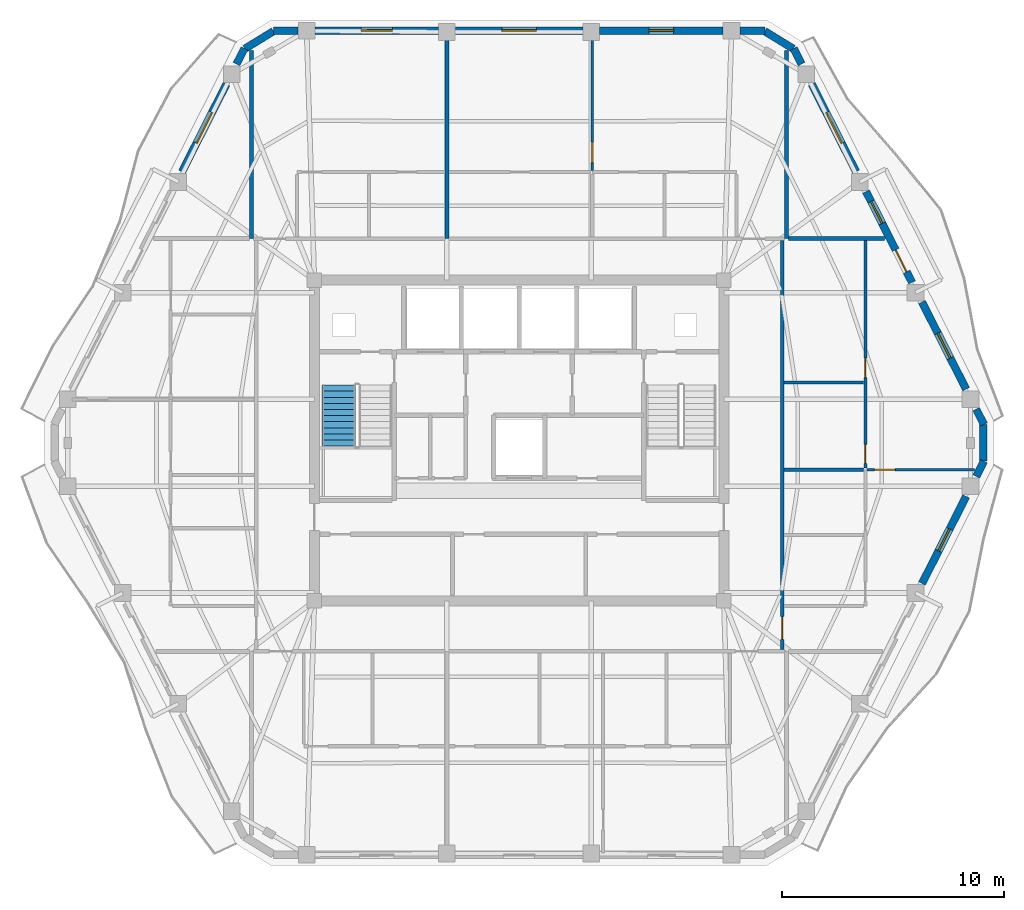
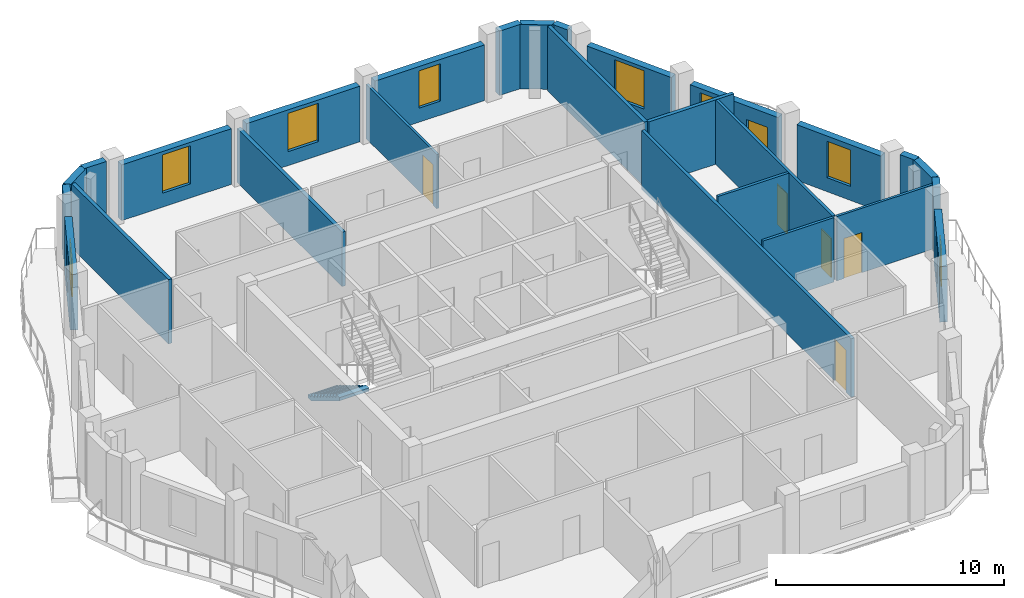
# One storey, part 7 of 12: 27 walls, 8 windows, 6 doors, 1 stair flight, 14 openings, 1 element without a shape of its own.
"""IFC4 building model written with IfcOpenShell, lengths in metres."""

from ifc_helpers import new_model, si_unit, direction, frame, frame_2d, origin, place, context, subcontext, project, spatial, polyline, rectangle, outline, extrude, material, layer, layer_set, type_object, element, fill, aggregate, save


model = new_model("IFC4")

# Units and contexts
model_context = context("Model", 3, precision=1e-05, world=origin(), true_north=direction((0.0, 1.0)))
body_context = subcontext(model_context, "Body", "Model", "MODEL_VIEW")
ifc_project = project(units=[si_unit("LENGTHUNIT", "METRE"), si_unit("AREAUNIT", "SQUARE_METRE"), si_unit("VOLUMEUNIT", "CUBIC_METRE"), si_unit("PLANEANGLEUNIT", "RADIAN"), si_unit("MASSUNIT", "GRAM", prefix="KILO")], contexts=[model_context])

# Site, building, storey
site_placement = place(None, origin())
site = spatial("IfcSite", under=ifc_project, at=site_placement, CompositionType="ELEMENT")
building_placement = place(site_placement, origin())
building = spatial("IfcBuilding", under=site, at=building_placement, Name="Cinnabar Lancet Tower", CompositionType="ELEMENT")
storey_placement = place(building_placement, frame((0.0, 0.0, 237.949951171875)))
storey = spatial("IfcBuildingStorey", under=building, at=storey_placement, Name="L63", CompositionType="ELEMENT", Elevation=237.949951171875)

# Wall, opening, door
ifc_material_1 = material(Name="Acoustic twin-stud gypsum partition", Category="gypsum")
ifc_layer_1 = layer(ifc_material_1, 0.159912109375)
ifc_layer_set_1 = layer_set([ifc_layer_1], Name="Acoustic twin-stud gypsum partition")
wall_type_1 = type_object("IfcWallType", Name="ARC-WL-CORR-160", PredefinedType="PARTITIONING", material=ifc_layer_set_1)
wall_1_placement = place(storey_placement, frame((44.25, 16.4951171875, 0.0), z_axis=(0.0, 0.0, 1.0), x_axis=(0.0, 1.0, 0.0)))
wall_1 = element("IfcWall", 1, at=wall_1_placement, inside=storey, type_object=wall_type_1, Name="UW-L63-E01-COR", PredefinedType="PARTITIONING", context=body_context, shape_type="SweptSolid", body=[
    extrude(rectangle(XDim=18.409912109375, YDim=0.159912109375, at=frame_2d((9.205078125, 0.0))), origin(), (0.0, 0.0, 1.0), 3.136962890625),
])
opening_1_placement = place(wall_1_placement, frame((0.449951171875, 0.0, 0.0)))
opening_1 = element("IfcOpeningElement", 2, at=opening_1_placement, cuts=wall_1, Name="Opening UD-01", PredefinedType="OPENING", context=body_context, shape_type="SweptSolid", body=[
    extrude(rectangle(XDim=1.02001953125, YDim=2.25, at=frame_2d((0.510009765625, 1.125))), frame((0.0, 0.08984375, 0.0), z_axis=(0.0, -1.0, 0.0), x_axis=(1.0, 0.0, 0.0)), (0.0, 0.0, 1.0), 0.179931640625),
])
ifc_material_2 = material(Name="Solid timber fire-rated apartment entrance door", Category="wood")
door_type_1 = type_object("IfcDoorType", Name="ARC-DR-UNIT", OperationType="NOTDEFINED", PredefinedType="DOOR", material=ifc_material_2)
door_1_placement = place(opening_1_placement, origin())
door_1 = element("IfcDoor", 3, at=door_1_placement, inside=storey, type_object=door_type_1, Name="DR-L63-E01-ENT", OperationType="SINGLE_SWING_RIGHT", OverallHeight=2.25, OverallWidth=1.02001953125, PredefinedType="DOOR", context=body_context, shape_type="SweptSolid", body=[
    extrude(rectangle(XDim=1.02001953125, YDim=2.25, at=frame_2d((0.510009765625, 1.125))), frame((0.0, 0.02490234375, 0.0), z_axis=(0.0, -1.0, 0.0), x_axis=(1.0, 0.0, 0.0)), (0.0, 0.0, 1.0), 0.050048828125),
])
fill(opening_1, door_1)

# Walls
ifc_material_3 = material(Name="Fire-rated twin-frame acoustic drywall", Category="gypsum")
ifc_layer_2 = layer(ifc_material_3, 0.179931640625)
ifc_layer_set_2 = layer_set([ifc_layer_2], Name="Fire-rated twin-frame acoustic drywall")
wall_type_2 = type_object("IfcWallType", Name="ARC-WL-PARTY-180", PredefinedType="PARTITIONING", material=ifc_layer_set_2)
wall_2_placement = place(storey_placement, frame((20.35009765625, 35.0, 0.0), z_axis=(0.0, 0.0, 1.0), x_axis=(0.0, 1.0, 0.0)))
element("IfcWall", 4, at=wall_2_placement, inside=storey, type_object=wall_type_2, Name="PW-L63-NPTY-204", PredefinedType="PARTITIONING", context=body_context, shape_type="SweptSolid", body=[
    extrude(rectangle(XDim=8.48095703125, YDim=0.179931640625, at=frame_2d((4.240478515625, 0.0))), origin(), (0.0, 0.0, 1.0), 3.449951171875),
])
wall_3_placement = place(storey_placement, frame((29.14599609375, 35.0, 0.0), z_axis=(0.0, 0.0, 1.0), x_axis=(0.0, 1.0, 0.0)))
element("IfcWall", 5, at=wall_3_placement, inside=storey, type_object=wall_type_2, Name="PW-L63-NPTY-291", PredefinedType="PARTITIONING", context=body_context, shape_type="SweptSolid", body=[
    extrude(rectangle(XDim=9.195068359375, YDim=0.179931640625, at=frame_2d((4.59765625, 0.0))), origin(), (0.0, 0.0, 1.0), 2.906982421875),
])
wall_4_placement = place(storey_placement, frame((44.449951171875, 35.0, 0.0), z_axis=(0.0, 0.0, 1.0), x_axis=(0.0, 1.0, 0.0)))
element("IfcWall", 6, at=wall_4_placement, inside=storey, type_object=wall_type_2, Name="PW-L63-NPTY-444", PredefinedType="PARTITIONING", context=body_context, shape_type="SweptSolid", body=[
    extrude(rectangle(XDim=8.48095703125, YDim=0.179931640625, at=frame_2d((4.240478515625, 0.0))), origin(), (0.0, 0.0, 1.0), 3.449951171875),
])
wall_5_placement = place(storey_placement, frame((44.544921875, 35.0, 0.0), z_axis=(0.0, 0.0, 1.0), x_axis=(1.0, 0.0, 0.0)))
element("IfcWall", 7, at=wall_5_placement, inside=storey, type_object=wall_type_2, Name="PW-L63-ENB", PredefinedType="PARTITIONING", context=body_context, shape_type="SweptSolid", body=[
    extrude(rectangle(XDim=4.322021484375, YDim=0.179931640625, at=frame_2d((2.1611328125, 0.0))), origin(), (0.0, 0.0, 1.0), 3.449951171875),
])

# Wall, opening, door
ifc_material_4 = material(Name="Gypsum plasterboard stud partition", Category="gypsum")
ifc_layer_3 = layer(ifc_material_4, 0.125)
ifc_layer_set_3 = layer_set([ifc_layer_3], Name="Gypsum plasterboard stud partition")
wall_type_3 = type_object("IfcWallType", Name="ARC-WL-UNIT-125", PredefinedType="PARTITIONING", material=ifc_layer_set_3)
wall_6_placement = place(storey_placement, frame((35.697021484375, 38.075927734375, 0.0), z_axis=(0.0, 0.0, 1.0), x_axis=(0.0, 1.0, 0.0)))
wall_6 = element("IfcWall", 8, at=wall_6_placement, inside=storey, type_object=wall_type_3, Name="UW-L63-N02-MBW", PredefinedType="PARTITIONING", context=body_context, shape_type="SweptSolid", body=[
    extrude(rectangle(XDim=6.208984375, YDim=0.125, at=frame_2d((3.1044921875, 0.0))), origin(), (0.0, 0.0, 1.0), 2.906982421875),
])
opening_2_placement = place(wall_6_placement, frame((0.35009765625, 0.0, 0.0)))
opening_2 = element("IfcOpeningElement", 9, at=opening_2_placement, cuts=wall_6, Name="Opening RD-01", PredefinedType="OPENING", context=body_context, shape_type="SweptSolid", body=[
    extrude(rectangle(XDim=0.919921875, YDim=2.14990234375, at=frame_2d((0.4599609375, 1.074951171875))), frame((0.0, 0.072509765625, 0.0), z_axis=(0.0, -1.0, 0.0), x_axis=(1.0, 0.0, 0.0)), (0.0, 0.0, 1.0), 0.14501953125),
])
ifc_material_5 = material(Name="Engineered timber bedroom door", Category="wood")
door_type_2 = type_object("IfcDoorType", Name="ARC-DR-ROOM", OperationType="NOTDEFINED", PredefinedType="DOOR", material=ifc_material_5)
door_2_placement = place(opening_2_placement, origin())
door_2 = element("IfcDoor", 10, at=door_2_placement, inside=storey, type_object=door_type_2, Name="DR-L63-N02-MBD", OperationType="SINGLE_SWING_RIGHT", OverallHeight=2.14990234375, OverallWidth=0.919921875, PredefinedType="DOOR", context=body_context, shape_type="SweptSolid", body=[
    extrude(rectangle(XDim=0.919921875, YDim=2.14990234375, at=frame_2d((0.4599609375, 1.074951171875))), frame((0.0, 0.02490234375, 0.0), z_axis=(0.0, -1.0, 0.0), x_axis=(1.0, 0.0, 0.0)), (0.0, 0.0, 1.0), 0.050048828125),
])
fill(opening_2, door_2)

wall_7_placement = place(storey_placement, frame((48.074951171875, 24.583984375, 0.0), z_axis=(0.0, 0.0, 1.0), x_axis=(1.0, 0.0, 0.0)))
wall_7 = element("IfcWall", 11, at=wall_7_placement, inside=storey, type_object=wall_type_3, Name="UW-L63-E01-MBN", PredefinedType="PARTITIONING", context=body_context, shape_type="SweptSolid", body=[
    extrude(rectangle(XDim=4.844970703125, YDim=0.125, at=frame_2d((2.42236328125, 0.0))), origin(), (0.0, 0.0, 1.0), 3.449951171875),
])
opening_3_placement = place(wall_7_placement, frame((0.35009765625, 0.0, 0.0)))
opening_3 = element("IfcOpeningElement", 12, at=opening_3_placement, cuts=wall_7, Name="Opening RD-01", PredefinedType="OPENING", context=body_context, shape_type="SweptSolid", body=[
    extrude(rectangle(XDim=0.919921875, YDim=2.14990234375, at=frame_2d((0.4599609375, 1.074951171875))), frame((0.0, 0.072509765625, 0.0), z_axis=(0.0, -1.0, 0.0), x_axis=(1.0, 0.0, 0.0)), (0.0, 0.0, 1.0), 0.14501953125),
])
door_3_placement = place(opening_3_placement, origin())
door_3 = element("IfcDoor", 13, at=door_3_placement, inside=storey, type_object=door_type_2, Name="DR-L63-E01-MBD", OperationType="SINGLE_SWING_RIGHT", OverallHeight=2.14990234375, OverallWidth=0.919921875, PredefinedType="DOOR", context=body_context, shape_type="SweptSolid", body=[
    extrude(rectangle(XDim=0.919921875, YDim=2.14990234375, at=frame_2d((0.4599609375, 1.074951171875))), frame((0.0, 0.02490234375, 0.0), z_axis=(0.0, -1.0, 0.0), x_axis=(1.0, 0.0, 0.0)), (0.0, 0.0, 1.0), 0.050048828125),
])
fill(opening_3, door_3)

# Wall, openings, doors
ifc_material_6 = material(Name="Moisture-resistant cement-board plumbing wall", Category="masonry")
ifc_layer_4 = layer(ifc_material_6, 0.139892578125)
ifc_layer_set_4 = layer_set([ifc_layer_4], Name="Moisture-resistant cement-board plumbing wall")
wall_type_4 = type_object("IfcWallType", Name="ARC-WL-WET-140", PredefinedType="PLUMBINGWALL", material=ifc_layer_set_4)
wall_8_placement = place(storey_placement, frame((48.0, 24.654052734375, 0.0), z_axis=(0.0, 0.0, 1.0), x_axis=(0.0, 1.0, 0.0)))
wall_8 = element("IfcWall", 14, at=wall_8_placement, inside=storey, type_object=wall_type_4, Name="UW-L63-E01-SPM", PredefinedType="PLUMBINGWALL", context=body_context, shape_type="SweptSolid", body=[
    extrude(rectangle(XDim=10.2509765625, YDim=0.139892578125, at=frame_2d((5.12548828125, 0.0))), origin(), (0.0, 0.0, 1.0), 3.449951171875),
])
opening_4_placement = place(wall_8_placement, frame((0.219970703125, 0.0, 0.0)))
opening_4 = element("IfcOpeningElement", 15, at=opening_4_placement, cuts=wall_8, Name="Opening BD-01", PredefinedType="OPENING", context=body_context, shape_type="SweptSolid", body=[
    extrude(rectangle(XDim=0.860107421875, YDim=2.10009765625, at=frame_2d((0.43017578125, 1.050048828125))), frame((0.0, 0.079833984375, 0.0), z_axis=(0.0, -1.0, 0.0), x_axis=(1.0, 0.0, 0.0)), (0.0, 0.0, 1.0), 0.159912109375),
])
opening_5_placement = place(wall_8_placement, frame((4.0859375, 0.0, 0.0)))
opening_5 = element("IfcOpeningElement", 16, at=opening_5_placement, cuts=wall_8, Name="Opening RD-02", PredefinedType="OPENING", context=body_context, shape_type="SweptSolid", body=[
    extrude(rectangle(XDim=0.8798828125, YDim=2.14990234375, at=frame_2d((0.43994140625, 1.074951171875))), frame((0.0, 0.079833984375, 0.0), z_axis=(0.0, -1.0, 0.0), x_axis=(1.0, 0.0, 0.0)), (0.0, 0.0, 1.0), 0.159912109375),
])
ifc_material_7 = material(Name="Moisture-resistant timber bathroom door", Category="wood")
door_type_3 = type_object("IfcDoorType", Name="ARC-DR-BATH", OperationType="NOTDEFINED", PredefinedType="DOOR", material=ifc_material_7)
door_4_placement = place(opening_4_placement, origin())
door_4 = element("IfcDoor", 17, at=door_4_placement, inside=storey, type_object=door_type_3, Name="DR-L63-E01-ENS", OperationType="SINGLE_SWING_RIGHT", OverallHeight=2.10009765625, OverallWidth=0.860107421875, PredefinedType="DOOR", context=body_context, shape_type="SweptSolid", body=[
    extrude(rectangle(XDim=0.860107421875, YDim=2.10009765625, at=frame_2d((0.43017578125, 1.050048828125))), frame((0.0, 0.02490234375, 0.0), z_axis=(0.0, -1.0, 0.0), x_axis=(1.0, 0.0, 0.0)), (0.0, 0.0, 1.0), 0.050048828125),
])
fill(opening_4, door_4)
ifc_material_8 = material(Name="Engineered timber study door", Category="wood")
door_type_4 = type_object("IfcDoorType", Name="ARC-DR-STUDY", OperationType="NOTDEFINED", PredefinedType="DOOR", material=ifc_material_8)
door_5_placement = place(opening_5_placement, origin())
door_5 = element("IfcDoor", 18, at=door_5_placement, inside=storey, type_object=door_type_4, Name="DR-L63-E01-EWDR", OperationType="SINGLE_SWING_LEFT", OverallHeight=2.14990234375, OverallWidth=0.8798828125, PredefinedType="DOOR", context=body_context, shape_type="SweptSolid", body=[
    extrude(rectangle(XDim=0.8798828125, YDim=2.14990234375, at=frame_2d((0.43994140625, 1.074951171875))), frame((0.0, 0.02490234375, 0.0), z_axis=(0.0, -1.0, 0.0), x_axis=(1.0, 0.0, 0.0)), (0.0, 0.0, 1.0), 0.050048828125),
])
fill(opening_5, door_5)

# Walls
for number, where, z_axis, x_axis, name in (
    (19, (44.3349609375, 24.583984375, 0.0), (0.0, 0.0, 1.0), (1.0, 0.0, 0.0), "UW-L63-E01-ENSN"),
    (20, (44.3349609375, 28.52001953125, 0.0), (0.0, 0.0, 1.0), (1.0, 0.0, 0.0), "UW-L63-E01-EWDV"),
):
    element("IfcWall", number, at=place(storey_placement, frame(where, z_axis=z_axis, x_axis=x_axis)), inside=storey, type_object=wall_type_4, Name=name, PredefinedType="PLUMBINGWALL", context=body_context, shape_type="SweptSolid", body=[
        extrude(rectangle(XDim=3.580078125, YDim=0.139892578125, at=frame_2d((1.7900390625, 0.0))), origin(), (0.0, 0.0, 1.0), 3.449951171875),
    ])
ifc_material_9 = material(Name="Cinnabar red clay brick", Category="masonry")
ifc_layer_5 = layer(ifc_material_9, 0.340087890625)
ifc_layer_set_5 = layer_set([ifc_layer_5], Name="Cinnabar red clay brick")
wall_type_5 = type_object("IfcWallType", Name="ENV-WL-BRK-RED-340", PredefinedType="STANDARD", material=ifc_layer_set_5)
wall_9_placement = place(storey_placement, frame((53.322998046875, 24.97998046875, 0.0), z_axis=(0.0, 0.0, 1.0), x_axis=(0.0, 1.0, 0.0)))
element("IfcWall", 21, at=wall_9_placement, inside=storey, type_object=wall_type_5, Name="L63 Chamfered Corner Brick Pier 3.1", PredefinedType="STANDARD", context=body_context, shape_type="SweptSolid", body=[
    extrude(rectangle(XDim=1.64013671875, YDim=0.340087890625, at=frame_2d((0.820068359375, 0.0))), origin(), (0.0, 0.0, 1.0), 3.449951171875),
])
for number, where, z_axis, x_axis, name in (
    (22, (44.7529296875, 43.554931640625, 0.0), (0.0, 0.0, 1.0), (-0.851680557619, 0.52406128246, 0.0), "L63 Chamfered Corner Brick Pier 4.1"),
    (23, (21.3310546875, 44.344970703125, 0.0), (0.0, 0.0, 1.0), (-0.851680557619, -0.52406128246, 0.0), "L63 Chamfered Corner Brick Pier 5.1"),
):
    element("IfcWall", number, at=place(storey_placement, frame(where, z_axis=z_axis, x_axis=x_axis)), inside=storey, type_object=wall_type_5, Name=name, PredefinedType="STANDARD", context=body_context, shape_type="SweptSolid", body=[
        extrude(rectangle(XDim=1.507568359375, YDim=0.340087890625, at=frame_2d((0.75390625, 0.0))), origin(), (0.0, 0.0, 1.0), 3.449951171875),
    ])

# Wall, opening, window
wall_10_placement = place(storey_placement, frame((50.553955078125, 19.4560546875, 0.0), z_axis=(0.0, 0.0, 1.0), x_axis=(0.45130817501, 0.892368158984, 0.0)))
wall_10 = element("IfcWall", 24, at=wall_10_placement, inside=storey, type_object=wall_type_5, Name="L63 Face 2 Masonry Bay Wall 4", PredefinedType="STANDARD", context=body_context, shape_type="SweptSolid", body=[
    extrude(rectangle(XDim=4.4072265625, YDim=0.340087890625, at=frame_2d((2.20361328125, 0.0))), origin(), (0.0, 0.0, 1.0), 2.983154296875),
])
opening_6_placement = place(wall_10_placement, frame((1.654052734375, 0.0, 0.75)))
opening_6 = element("IfcOpeningElement", 25, at=opening_6_placement, cuts=wall_10, Name="Opening WN-04", PredefinedType="OPENING", context=body_context, shape_type="SweptSolid", body=[
    extrude(rectangle(XDim=1.10009765625, YDim=2.0, at=frame_2d((0.550048828125, 1.0))), frame((0.0, 0.179931640625, 0.0), z_axis=(0.0, -1.0, 0.0), x_axis=(1.0, 0.0, 0.0)), (0.0, 0.0, 1.0), 0.360107421875),
])
ifc_material_10 = material(Name="Thermally broken bronze-anodized aluminium tall lancet window", Category="aluminium")
window_type_1 = type_object("IfcWindowType", Name="ENV-WN-LANCET-1100", PartitioningType="SINGLE_PANEL", PredefinedType="WINDOW", material=ifc_material_10)
window_1_placement = place(opening_6_placement, origin())
window_1 = element("IfcWindow", 26, at=window_1_placement, inside=storey, type_object=window_type_1, Name="L63 Face 2 Gothic Lancet Window 4", OverallHeight=2.0, OverallWidth=1.10009765625, PartitioningType="SINGLE_PANEL", PredefinedType="WINDOW", context=body_context, shape_type="SweptSolid", body=[
    extrude(rectangle(XDim=1.10009765625, YDim=2.0, at=frame_2d((0.550048828125, 1.0))), frame((0.0, 0.030029296875, 0.0), z_axis=(0.0, -1.0, 0.0), x_axis=(1.0, 0.0, 0.0)), (0.0, 0.0, 1.0), 0.06005859375),
])
fill(opening_6, window_1)

# Walls
for number, where, z_axis, x_axis, name in (
    (27, (52.99609375, 24.283935546875, 0.0), (0.0, 0.0, 1.0), (0.45075284655, 0.892648795063, 0.0), "L63 Face 2 Masonry Bay Wall 5"),
    (28, (53.343994140625, 26.626953125, 0.0), (0.0, 0.0, 1.0), (-0.45075284655, 0.892648795063, 0.0), "L63 Face 3 Masonry Bay Wall 1"),
):
    element("IfcWall", number, at=place(storey_placement, frame(where, z_axis=z_axis, x_axis=x_axis)), inside=storey, type_object=wall_type_5, Name=name, PredefinedType="STANDARD", context=body_context, shape_type="SweptSolid", body=[
        extrude(rectangle(XDim=0.771728515625, YDim=0.340087890625, at=frame_2d((0.3857421875, 0.0))), origin(), (0.0, 0.0, 1.0), 3.449951171875),
    ])

# Wall, opening, window
wall_11_placement = place(storey_placement, frame((52.54296875, 28.2109375, 0.0), z_axis=(0.0, 0.0, 1.0), x_axis=(-0.451285866323, 0.892379441077, 0.0)))
wall_11 = element("IfcWall", 29, at=wall_11_placement, inside=storey, type_object=wall_type_5, Name="L63 Face 3 Masonry Bay Wall 2", PredefinedType="STANDARD", context=body_context, shape_type="SweptSolid", body=[
    extrude(rectangle(XDim=4.407470703125, YDim=0.340087890625, at=frame_2d((2.20361328125, 0.0))), origin(), (0.0, 0.0, 1.0), 2.983154296875),
])
opening_7_placement = place(wall_11_placement, frame((1.5791015625, 0.0, 0.75)))
opening_7 = element("IfcOpeningElement", 30, at=opening_7_placement, cuts=wall_11, Name="Opening WN-03", PredefinedType="OPENING", context=body_context, shape_type="SweptSolid", body=[
    extrude(rectangle(XDim=1.25, YDim=1.949951171875, at=frame_2d((0.625, 0.97509765625))), frame((0.0, 0.179931640625, 0.0), z_axis=(0.0, -1.0, 0.0), x_axis=(1.0, 0.0, 0.0)), (0.0, 0.0, 1.0), 0.360107421875),
])
ifc_material_11 = material(Name="Thermally broken bronze-anodized aluminium low-E double glazing", Category="aluminium")
window_type_2 = type_object("IfcWindowType", Name="ENV-WN-LANCET-1250", PartitioningType="SINGLE_PANEL", PredefinedType="WINDOW", material=ifc_material_11)
window_2_placement = place(opening_7_placement, origin())
window_2 = element("IfcWindow", 31, at=window_2_placement, inside=storey, type_object=window_type_2, Name="L63 Face 3 Gothic Lancet Window 2", OverallHeight=1.949951171875, OverallWidth=1.25, PartitioningType="SINGLE_PANEL", PredefinedType="WINDOW", context=body_context, shape_type="SweptSolid", body=[
    extrude(rectangle(XDim=1.25, YDim=1.949951171875, at=frame_2d((0.625, 0.97509765625))), frame((0.0, 0.030029296875, 0.0), z_axis=(0.0, -1.0, 0.0), x_axis=(1.0, 0.0, 0.0)), (0.0, 0.0, 1.0), 0.06005859375),
])
fill(opening_7, window_2)

# Wall, openings, door, window
wall_12_placement = place(storey_placement, frame((50.10888671875, 33.02294921875, 0.0), z_axis=(0.0, 0.0, 1.0), x_axis=(-0.451539564999, 0.892251097641, 0.0)))
wall_12 = element("IfcWall", 32, at=wall_12_placement, inside=storey, type_object=wall_type_5, Name="L63 Face 3 Masonry Bay Wall 3", PredefinedType="STANDARD", context=body_context, shape_type="SweptSolid", body=[
    extrude(rectangle(XDim=4.599609375, YDim=0.340087890625, at=frame_2d((2.2998046875, 0.0))), origin(), (0.0, 0.0, 1.0), 2.983154296875),
])
opening_8_placement = place(wall_12_placement, frame((0.5419921875, 0.0, 0.0)))
opening_8 = element("IfcOpeningElement", 33, at=opening_8_placement, cuts=wall_12, Name="Opening TD-01", PredefinedType="OPENING", context=body_context, shape_type="SweptSolid", body=[
    extrude(rectangle(XDim=1.10009765625, YDim=2.25, at=frame_2d((0.550048828125, 1.125))), frame((0.0, 0.179931640625, 0.0), z_axis=(0.0, -1.0, 0.0), x_axis=(1.0, 0.0, 0.0)), (0.0, 0.0, 1.0), 0.360107421875),
])
opening_9_placement = place(wall_12_placement, frame((2.988037109375, 0.0, 0.75)))
opening_9 = element("IfcOpeningElement", 34, at=opening_9_placement, cuts=wall_12, Name="Opening WN-04", PredefinedType="OPENING", context=body_context, shape_type="SweptSolid", body=[
    extrude(rectangle(XDim=1.10009765625, YDim=2.0, at=frame_2d((0.550048828125, 1.0))), frame((0.0, 0.179931640625, 0.0), z_axis=(0.0, -1.0, 0.0), x_axis=(1.0, 0.0, 0.0)), (0.0, 0.0, 1.0), 0.360107421875),
])
ifc_material_12 = material(Name="Thermally broken low-E glazed balcony terrace door", Category="wood")
door_type_5 = type_object("IfcDoorType", Name="ARC-DR-BALC", OperationType="NOTDEFINED", PredefinedType="DOOR", material=ifc_material_12)
door_6_placement = place(opening_8_placement, origin())
door_6 = element("IfcDoor", 35, at=door_6_placement, inside=storey, type_object=door_type_5, Name="L63 Face 3 Glazed Terrace Door", OperationType="SINGLE_SWING_RIGHT", OverallHeight=2.25, OverallWidth=1.10009765625, PredefinedType="DOOR", context=body_context, shape_type="SweptSolid", body=[
    extrude(rectangle(XDim=1.10009765625, YDim=2.25, at=frame_2d((0.550048828125, 1.125))), frame((0.0, 0.02490234375, 0.0), z_axis=(0.0, -1.0, 0.0), x_axis=(1.0, 0.0, 0.0)), (0.0, 0.0, 1.0), 0.050048828125),
])
fill(opening_8, door_6)
window_3_placement = place(opening_9_placement, origin())
window_3 = element("IfcWindow", 36, at=window_3_placement, inside=storey, type_object=window_type_1, Name="L63 Split-Bay Gothic Lancet Window 220", OverallHeight=2.0, OverallWidth=1.10009765625, PartitioningType="SINGLE_PANEL", PredefinedType="WINDOW", context=body_context, shape_type="SweptSolid", body=[
    extrude(rectangle(XDim=1.10009765625, YDim=2.0, at=frame_2d((0.550048828125, 1.0))), frame((0.0, 0.030029296875, 0.0), z_axis=(0.0, -1.0, 0.0), x_axis=(1.0, 0.0, 0.0)), (0.0, 0.0, 1.0), 0.06005859375),
])
fill(opening_9, window_3)

# Wall, opening, window
wall_13_placement = place(storey_placement, frame((47.5859375, 38.010009765625, 0.0), z_axis=(0.0, 0.0, 1.0), x_axis=(-0.451463046281, 0.89228981718, 0.0)))
wall_13 = element("IfcWall", 37, at=wall_13_placement, inside=storey, type_object=wall_type_5, Name="L63 Face 3 Masonry Bay Wall 4", PredefinedType="STANDARD", context=body_context, shape_type="SweptSolid", body=[
    extrude(rectangle(XDim=4.429931640625, YDim=0.340087890625, at=frame_2d((2.21484375, 0.0))), origin(), (0.0, 0.0, 1.0), 2.983154296875),
])
opening_10_placement = place(wall_13_placement, frame((1.43994140625, 0.0, 0.75)))
opening_10 = element("IfcOpeningElement", 38, at=opening_10_placement, cuts=wall_13, Name="Opening WN-01", PredefinedType="OPENING", context=body_context, shape_type="SweptSolid", body=[
    extrude(rectangle(XDim=1.550048828125, YDim=2.050048828125, at=frame_2d((0.77490234375, 1.02490234375))), frame((0.0, 0.179931640625, 0.0), z_axis=(0.0, -1.0, 0.0), x_axis=(1.0, 0.0, 0.0)), (0.0, 0.0, 1.0), 0.360107421875),
])
ifc_material_13 = material(Name="Thermally broken bronze-anodized aluminium low-E double glazing", Category="aluminium")
window_type_3 = type_object("IfcWindowType", Name="ENV-WN-LANCET-1550", PartitioningType="SINGLE_PANEL", PredefinedType="WINDOW", material=ifc_material_13)
window_4_placement = place(opening_10_placement, origin())
window_4 = element("IfcWindow", 39, at=window_4_placement, inside=storey, type_object=window_type_3, Name="L63 Face 3 Gothic Lancet Window 4", OverallHeight=2.050048828125, OverallWidth=1.550048828125, PartitioningType="SINGLE_PANEL", PredefinedType="WINDOW", context=body_context, shape_type="SweptSolid", body=[
    extrude(rectangle(XDim=1.550048828125, YDim=2.050048828125, at=frame_2d((0.77490234375, 1.02490234375))), frame((0.0, 0.030029296875, 0.0), z_axis=(0.0, -1.0, 0.0), x_axis=(1.0, 0.0, 0.0)), (0.0, 0.0, 1.0), 0.06005859375),
])
fill(opening_10, window_4)

# Walls
wall_14_placement = place(storey_placement, frame((45.1298828125, 42.864990234375, 0.0), z_axis=(0.0, 0.0, 1.0), x_axis=(-0.451159191899, 0.892443490404, 0.0)))
element("IfcWall", 40, at=wall_14_placement, inside=storey, type_object=wall_type_5, Name="L63 Face 3 Masonry Bay Wall 5", PredefinedType="STANDARD", context=body_context, shape_type="SweptSolid", body=[
    extrude(rectangle(XDim=0.791259765625, YDim=0.340087890625, at=frame_2d((0.3955078125, 0.0))), origin(), (0.0, 0.0, 1.0), 3.449951171875),
])
wall_15_placement = place(storey_placement, frame((43.47412109375, 44.3701171875, 0.0), z_axis=(0.0, 0.0, 1.0), x_axis=(-1.0, 0.0, 0.0)))
element("IfcWall", 41, at=wall_15_placement, inside=storey, type_object=wall_type_5, Name="L63 Face 4 Masonry Bay Wall 1", PredefinedType="STANDARD", context=body_context, shape_type="SweptSolid", body=[
    extrude(rectangle(XDim=1.123046875, YDim=0.340087890625, at=frame_2d((0.5615234375, 0.0))), origin(), (0.0, 0.0, 1.0), 3.449951171875),
])

# Wall, opening, window
wall_16_placement = place(storey_placement, frame((41.593017578125, 44.3701171875, 0.0), z_axis=(0.0, 0.0, 1.0), x_axis=(-1.0, 0.0, 0.0)))
wall_16 = element("IfcWall", 42, at=wall_16_placement, inside=storey, type_object=wall_type_5, Name="L63 Face 4 Masonry Bay Wall 2", PredefinedType="STANDARD", context=body_context, shape_type="SweptSolid", body=[
    extrude(rectangle(XDim=5.56005859375, YDim=0.340087890625, at=frame_2d((2.780029296875, 0.0))), origin(), (0.0, 0.0, 1.0), 2.983154296875),
])
opening_11_placement = place(wall_16_placement, frame((2.22998046875, 0.0, 0.75)))
opening_11 = element("IfcOpeningElement", 43, at=opening_11_placement, cuts=wall_16, Name="Opening WN-04", PredefinedType="OPENING", context=body_context, shape_type="SweptSolid", body=[
    extrude(rectangle(XDim=1.10009765625, YDim=2.0, at=frame_2d((0.550048828125, 1.0))), frame((0.0, 0.179931640625, 0.0), z_axis=(0.0, -1.0, 0.0), x_axis=(1.0, 0.0, 0.0)), (0.0, 0.0, 1.0), 0.360107421875),
])
window_5_placement = place(opening_11_placement, origin())
window_5 = element("IfcWindow", 44, at=window_5_placement, inside=storey, type_object=window_type_1, Name="L63 Face 4 Gothic Lancet Window 2", OverallHeight=2.0, OverallWidth=1.10009765625, PartitioningType="SINGLE_PANEL", PredefinedType="WINDOW", context=body_context, shape_type="SweptSolid", body=[
    extrude(rectangle(XDim=1.10009765625, YDim=2.0, at=frame_2d((0.550048828125, 1.0))), frame((0.0, 0.030029296875, 0.0), z_axis=(0.0, -1.0, 0.0), x_axis=(1.0, 0.0, 0.0)), (0.0, 0.0, 1.0), 0.06005859375),
])
fill(opening_11, window_5)

wall_17_placement = place(storey_placement, frame((35.27490234375, 44.3701171875, 0.0), z_axis=(0.0, 0.0, 1.0), x_axis=(-1.0, 0.0, 0.0)))
wall_17 = element("IfcWall", 45, at=wall_17_placement, inside=storey, type_object=wall_type_5, Name="L63 Face 4 Masonry Bay Wall 3", PredefinedType="STANDARD", context=body_context, shape_type="SweptSolid", body=[
    extrude(rectangle(XDim=5.75, YDim=0.340087890625, at=frame_2d((2.875, 0.0))), origin(), (0.0, 0.0, 1.0), 2.983154296875),
])
opening_12_placement = place(wall_17_placement, frame((2.10009765625, 0.0, 0.75)))
opening_12 = element("IfcOpeningElement", 46, at=opening_12_placement, cuts=wall_17, Name="Opening WN-01", PredefinedType="OPENING", context=body_context, shape_type="SweptSolid", body=[
    extrude(rectangle(XDim=1.550048828125, YDim=2.050048828125, at=frame_2d((0.77490234375, 1.02490234375))), frame((0.0, 0.179931640625, 0.0), z_axis=(0.0, -1.0, 0.0), x_axis=(1.0, 0.0, 0.0)), (0.0, 0.0, 1.0), 0.360107421875),
])
window_6_placement = place(opening_12_placement, origin())
window_6 = element("IfcWindow", 47, at=window_6_placement, inside=storey, type_object=window_type_3, Name="L63 Face 4 Gothic Lancet Window 3", OverallHeight=2.050048828125, OverallWidth=1.550048828125, PartitioningType="SINGLE_PANEL", PredefinedType="WINDOW", context=body_context, shape_type="SweptSolid", body=[
    extrude(rectangle(XDim=1.550048828125, YDim=2.050048828125, at=frame_2d((0.77490234375, 1.02490234375))), frame((0.0, 0.030029296875, 0.0), z_axis=(0.0, -1.0, 0.0), x_axis=(1.0, 0.0, 0.0)), (0.0, 0.0, 1.0), 0.06005859375),
])
fill(opening_12, window_6)

wall_18_placement = place(storey_placement, frame((28.76708984375, 44.3701171875, 0.0), z_axis=(0.0, 0.0, 1.0), x_axis=(-1.0, 0.0, 0.0)))
wall_18 = element("IfcWall", 48, at=wall_18_placement, inside=storey, type_object=wall_type_5, Name="L63 Face 4 Masonry Bay Wall 4", PredefinedType="STANDARD", context=body_context, shape_type="SweptSolid", body=[
    extrude(rectangle(XDim=5.56005859375, YDim=0.340087890625, at=frame_2d((2.780029296875, 0.0))), origin(), (0.0, 0.0, 1.0), 2.983154296875),
])
opening_13_placement = place(wall_18_placement, frame((2.080078125, 0.0, 0.75)))
opening_13 = element("IfcOpeningElement", 49, at=opening_13_placement, cuts=wall_18, Name="Opening WN-02", PredefinedType="OPENING", context=body_context, shape_type="SweptSolid", body=[
    extrude(rectangle(XDim=1.39990234375, YDim=2.050048828125, at=frame_2d((0.699951171875, 1.02490234375))), frame((0.0, 0.179931640625, 0.0), z_axis=(0.0, -1.0, 0.0), x_axis=(1.0, 0.0, 0.0)), (0.0, 0.0, 1.0), 0.360107421875),
])
ifc_material_14 = material(Name="Thermally broken bronze-anodized aluminium low-E double glazing", Category="aluminium")
window_type_4 = type_object("IfcWindowType", Name="ENV-WN-LANCET-1400", PartitioningType="SINGLE_PANEL", PredefinedType="WINDOW", material=ifc_material_14)
window_7_placement = place(opening_13_placement, origin())
window_7 = element("IfcWindow", 50, at=window_7_placement, inside=storey, type_object=window_type_4, Name="L63 Face 4 Gothic Lancet Window 4", OverallHeight=2.050048828125, OverallWidth=1.39990234375, PartitioningType="SINGLE_PANEL", PredefinedType="WINDOW", context=body_context, shape_type="SweptSolid", body=[
    extrude(rectangle(XDim=1.39990234375, YDim=2.050048828125, at=frame_2d((0.699951171875, 1.02490234375))), frame((0.0, 0.030029296875, 0.0), z_axis=(0.0, -1.0, 0.0), x_axis=(1.0, 0.0, 0.0)), (0.0, 0.0, 1.0), 0.06005859375),
])
fill(opening_13, window_7)

# Walls
wall_19_placement = place(storey_placement, frame((22.448974609375, 44.3701171875, 0.0), z_axis=(0.0, 0.0, 1.0), x_axis=(-1.0, 0.0, 0.0)))
element("IfcWall", 51, at=wall_19_placement, inside=storey, type_object=wall_type_5, Name="L63 Face 4 Masonry Bay Wall 5", PredefinedType="STANDARD", context=body_context, shape_type="SweptSolid", body=[
    extrude(rectangle(XDim=1.123046875, YDim=0.340087890625, at=frame_2d((0.5615234375, 0.0))), origin(), (0.0, 0.0, 1.0), 3.449951171875),
])
wall_20_placement = place(storey_placement, frame((20.027099609375, 43.571044921875, 0.0), z_axis=(0.0, 0.0, 1.0), x_axis=(-0.451404919072, -0.89231922485, 0.0)))
element("IfcWall", 52, at=wall_20_placement, inside=storey, type_object=wall_type_5, Name="L63 Face 5 Masonry Bay Wall 1", PredefinedType="STANDARD", context=body_context, shape_type="SweptSolid", body=[
    extrude(rectangle(XDim=0.791259765625, YDim=0.340087890625, at=frame_2d((0.3955078125, 0.0))), origin(), (0.0, 0.0, 1.0), 3.449951171875),
])

# Wall, opening, window
wall_21_placement = place(storey_placement, frame((19.214111328125, 41.962890625, 0.0), z_axis=(0.0, 0.0, 1.0), x_axis=(-0.451463046281, -0.89228981718, 0.0)))
wall_21 = element("IfcWall", 53, at=wall_21_placement, inside=storey, type_object=wall_type_5, Name="L63 Face 5 Masonry Bay Wall 2", PredefinedType="STANDARD", context=body_context, shape_type="SweptSolid", body=[
    extrude(rectangle(XDim=4.429931640625, YDim=0.340087890625, at=frame_2d((2.21484375, 0.0))), origin(), (0.0, 0.0, 1.0), 2.983154296875),
])
opening_14_placement = place(wall_21_placement, frame((1.43994140625, 0.0, 0.75)))
opening_14 = element("IfcOpeningElement", 54, at=opening_14_placement, cuts=wall_21, Name="Opening WN-01", PredefinedType="OPENING", context=body_context, shape_type="SweptSolid", body=[
    extrude(rectangle(XDim=1.550048828125, YDim=2.050048828125, at=frame_2d((0.77490234375, 1.02490234375))), frame((0.0, 0.179931640625, 0.0), z_axis=(0.0, -1.0, 0.0), x_axis=(1.0, 0.0, 0.0)), (0.0, 0.0, 1.0), 0.360107421875),
])
window_8_placement = place(opening_14_placement, origin())
window_8 = element("IfcWindow", 55, at=window_8_placement, inside=storey, type_object=window_type_3, Name="L63 Face 5 Gothic Lancet Window 2", OverallHeight=2.050048828125, OverallWidth=1.550048828125, PartitioningType="SINGLE_PANEL", PredefinedType="WINDOW", context=body_context, shape_type="SweptSolid", body=[
    extrude(rectangle(XDim=1.550048828125, YDim=2.050048828125, at=frame_2d((0.77490234375, 1.02490234375))), frame((0.0, 0.030029296875, 0.0), z_axis=(0.0, -1.0, 0.0), x_axis=(1.0, 0.0, 0.0)), (0.0, 0.0, 1.0), 0.06005859375),
])
fill(opening_14, window_8)

# Stair, stair flight
ifc_material_15 = material(Name="Concrete C40/50", Category="concrete")
stair_type = type_object("IfcStairType", Name="ST-CORE", PredefinedType="HALF_TURN_STAIR", material=ifc_material_15)
stair_placement = place(storey_placement, origin())
stair = element("IfcStair", 56, at=stair_placement, inside=storey, type_object=stair_type, Name="L63 ST-1", PredefinedType="HALF_TURN_STAIR")
ifc_material_16 = material(Name="Concrete C40/50", Category="concrete")
stair_flight_type = type_object("IfcStairFlightType", Name="FLIGHT-CORE", PredefinedType="STRAIGHT", material=ifc_material_16)
stair_flight_placement = place(storey_placement, frame((24.27490234375, 28.39990234375, 0.0), z_axis=(0.0, 0.0, 1.0), x_axis=(0.0, -1.0, 0.0)))
stair_flight = element("IfcStairFlight", 57, at=stair_flight_placement, type_object=stair_flight_type, Name="ST-1 flight 1", NumberOfRisers=11, NumberOfTreads=10, PredefinedType="STRAIGHT", RiserHeight=0.165909091, TreadLength=0.275, context=body_context, shape_type="SweptSolid", body=[
    extrude(outline(polyline([(0.0, 0.0), (0.0, 0.166015625), (0.27490234375, 0.166015625), (0.27490234375, 0.331787109375), (0.550048828125, 0.331787109375), (0.550048828125, 0.497802734375), (0.824951171875, 0.497802734375), (0.824951171875, 0.66357421875), (1.10009765625, 0.66357421875), (1.10009765625, 0.82958984375), (1.375, 0.82958984375), (1.375, 0.995361328125), (1.64990234375, 0.995361328125), (1.64990234375, 1.161376953125), (1.925048828125, 1.161376953125), (1.925048828125, 1.327392578125), (2.199951171875, 1.327392578125), (2.199951171875, 1.4931640625), (2.47509765625, 1.4931640625), (2.47509765625, 1.6591796875), (2.75, 1.6591796875), (2.75, 1.824951171875), (2.75, 1.484130859375), (0.290283203125, 0.0), (0.0, 0.0)])), frame((0.0, 0.75, 0.0), z_axis=(0.0, -1.0, 0.0), x_axis=(1.0, 0.0, 0.0)), (0.0, 0.0, 1.0), 1.5),
])
aggregate(stair, [stair_flight])

save(model, "model.ifc")
